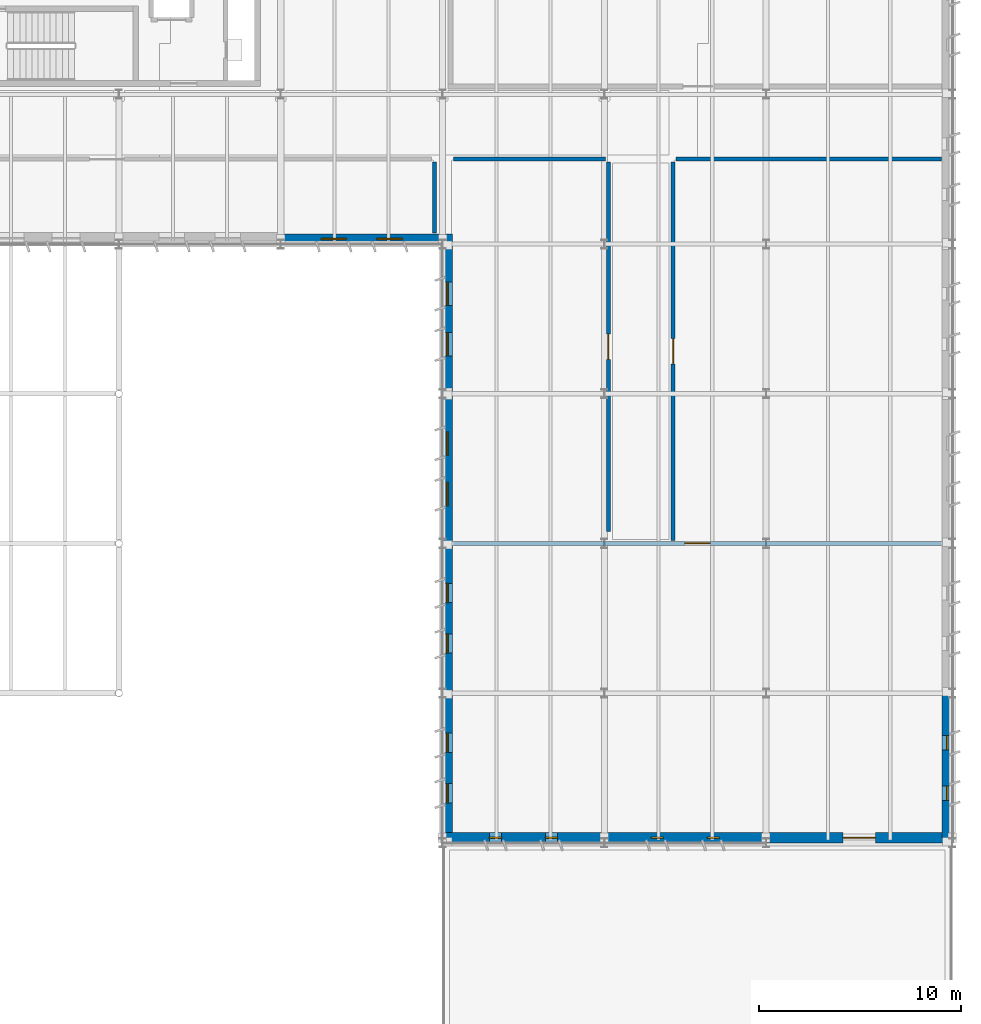
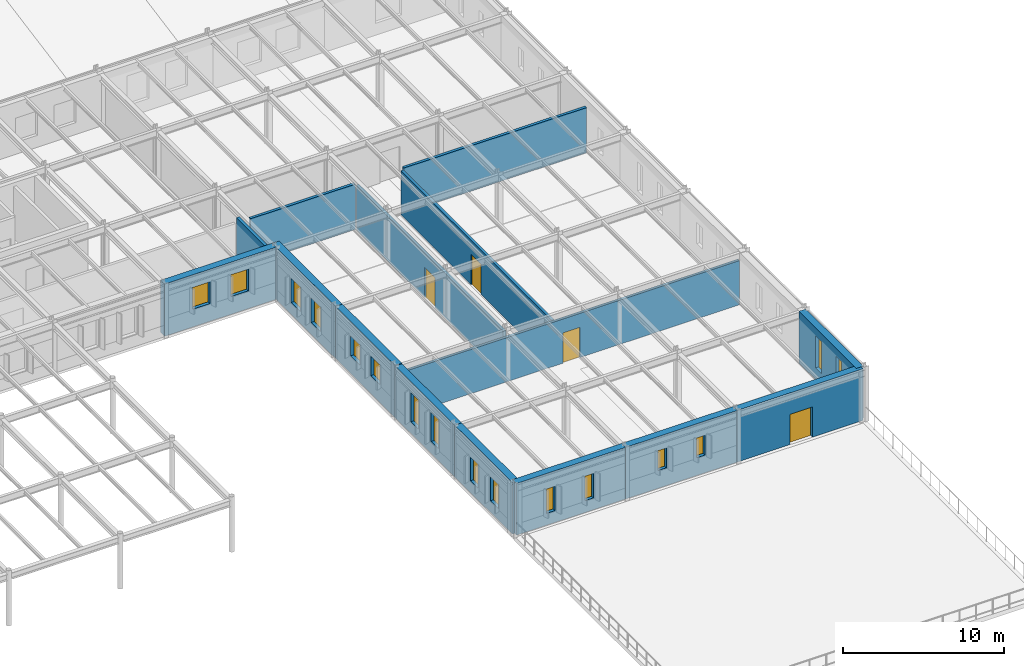
# One storey, part 46 of 63: 16 windows, 15 walls, 4 doors, 20 openings.
"""IFC4 building model written with IfcOpenShell, lengths in metres."""

from ifc_helpers import new_model, si_unit, direction, frame, frame_2d, origin, place, context, subcontext, project, spatial, rectangle, extrude, material, layer, layer_set, type_object, element, fill, save


model = new_model("IFC4")

# Units and contexts
model_context = context("Model", 3, precision=1e-05, world=origin(), true_north=direction((0.0, 1.0)))
body_context = subcontext(model_context, "Body", "Model", "MODEL_VIEW")
ifc_project = project(units=[si_unit("LENGTHUNIT", "METRE"), si_unit("AREAUNIT", "SQUARE_METRE"), si_unit("VOLUMEUNIT", "CUBIC_METRE"), si_unit("PLANEANGLEUNIT", "RADIAN"), si_unit("MASSUNIT", "GRAM", prefix="KILO")], contexts=[model_context])

# Site, building, storey
site_placement = place(None, origin())
site = spatial("IfcSite", under=ifc_project, at=site_placement, CompositionType="ELEMENT")
building_placement = place(site_placement, origin())
building = spatial("IfcBuilding", under=site, at=building_placement, Name="Valkorina Park Police Headquarters", CompositionType="ELEMENT")
storey_placement = place(building_placement, frame((0.0, 0.0, 9.89990234375)))
storey = spatial("IfcBuildingStorey", under=building, at=storey_placement, Name="L03", CompositionType="ELEMENT", Elevation=9.89990234375)

# Wall
ifc_material_1 = material(Name="Autoclaved aerated concrete masonry", Category="masonry")
ifc_layer_1 = layer(ifc_material_1, 0.199951171875)
ifc_layer_set_1 = layer_set([ifc_layer_1], Name="Autoclaved aerated concrete masonry")
wall_type_1 = type_object("IfcWallType", Name="WL-CORR-200-EI60", PredefinedType="STANDARD", material=ifc_layer_set_1)
wall_1_placement = place(storey_placement, frame((136.39990234375, 59.739990234375, 0.0), z_axis=(0.0, 0.0, 1.0), x_axis=(0.0, 1.0, 0.0)))
element("IfcWall", 1, at=wall_1_placement, inside=storey, type_object=wall_type_1, Name="L03 Interior Partition 0174 (L03-TEL-02)", PredefinedType="STANDARD", context=body_context, shape_type="SweptSolid", body=[
    extrude(rectangle(XDim=3.52001953125, YDim=0.199951171875, at=frame_2d((1.760009765625, 0.0))), origin(), (0.0, 0.0, 1.0), 3.920166015625),
])

# Wall, opening, door
wall_2_placement = place(storey_placement, frame((137.340087890625, 44.39990234375, 0.0), z_axis=(0.0, 0.0, 1.0), x_axis=(1.0, 0.0, 0.0)))
wall_2 = element("IfcWall", 2, at=wall_2_placement, inside=storey, type_object=wall_type_1, Name="L03 Interior Partition 0181 (L03-DNA-01)", PredefinedType="STANDARD", context=body_context, shape_type="SweptSolid", body=[
    extrude(rectangle(XDim=24.119873046875, YDim=0.199951171875, at=frame_2d((12.06005859375, 0.0))), origin(), (0.0, 0.0, 1.0), 3.35009765625),
])
opening_1_placement = place(wall_2_placement, frame((11.43505859375, 0.0, 0.0)))
opening_1 = element("IfcOpeningElement", 3, at=opening_1_placement, cuts=wall_2, Name="Opening FD-06", PredefinedType="OPENING", context=body_context, shape_type="SweptSolid", body=[
    extrude(rectangle(XDim=1.25, YDim=2.300048828125, at=frame_2d((0.625, 1.14990234375))), frame((0.0, 0.10986328125, 0.0), z_axis=(0.0, -1.0, 0.0), x_axis=(1.0, 0.0, 0.0)), (0.0, 0.0, 1.0), 0.219970703125),
])
ifc_material_2 = material(Name="Galvanized steel door leaf", Category="steel")
ifc_layer_2 = layer(ifc_material_2, 0.050048828125)
ifc_layer_set_2 = layer_set([ifc_layer_2], Name="Galvanized steel door leaf")
door_type_1 = type_object("IfcDoorType", Name="DR-FIRE-LAB-1250x2300", OperationType="NOTDEFINED", PredefinedType="DOOR", material=ifc_layer_set_2)
door_1_placement = place(opening_1_placement, origin())
door_1 = element("IfcDoor", 4, at=door_1_placement, inside=storey, type_object=door_type_1, Name="Door D-L03-I084 (L03-DNA-01)", OperationType="SINGLE_SWING_LEFT", OverallHeight=2.300048828125, OverallWidth=1.25, PredefinedType="DOOR", context=body_context, shape_type="SweptSolid", body=[
    extrude(rectangle(XDim=1.25, YDim=2.300048828125, at=frame_2d((0.625, 1.14990234375))), frame((0.0, 0.02490234375, 0.0), z_axis=(0.0, -1.0, 0.0), x_axis=(1.0, 0.0, 0.0)), (0.0, 0.0, 1.0), 0.050048828125),
])
fill(opening_1, door_1)

# Wall
wall_3_placement = place(storey_placement, frame((137.340087890625, 63.39990234375, 0.0), z_axis=(0.0, 0.0, 1.0), x_axis=(1.0, 0.0, 0.0)))
element("IfcWall", 5, at=wall_3_placement, inside=storey, type_object=wall_type_1, Name="L03 Interior Partition 0182 (L03-DNA-02)", PredefinedType="STANDARD", context=body_context, shape_type="SweptSolid", body=[
    extrude(rectangle(XDim=7.52001953125, YDim=0.199951171875, at=frame_2d((3.760009765625, 0.0))), origin(), (0.0, 0.0, 1.0), 3.445068359375),
])

# Wall, opening, door
wall_4_placement = place(storey_placement, frame((145.0, 44.989990234375, 0.0), z_axis=(0.0, 0.0, 1.0), x_axis=(0.0, 1.0, 0.0)))
wall_4 = element("IfcWall", 6, at=wall_4_placement, inside=storey, type_object=wall_type_1, Name="L03 Interior Partition 0183 (L03-DNA-02)", PredefinedType="STANDARD", context=body_context, shape_type="SweptSolid", body=[
    extrude(rectangle(XDim=18.27001953125, YDim=0.199951171875, at=frame_2d((9.135009765625, 0.0))), origin(), (0.0, 0.0, 1.0), 3.385009765625),
])
opening_2_placement = place(wall_4_placement, frame((8.510009765625, 0.0, 0.0)))
opening_2 = element("IfcOpeningElement", 7, at=opening_2_placement, cuts=wall_4, Name="Opening FD-06", PredefinedType="OPENING", context=body_context, shape_type="SweptSolid", body=[
    extrude(rectangle(XDim=1.25, YDim=2.300048828125, at=frame_2d((0.625, 1.14990234375))), frame((0.0, 0.10986328125, 0.0), z_axis=(0.0, -1.0, 0.0), x_axis=(1.0, 0.0, 0.0)), (0.0, 0.0, 1.0), 0.219970703125),
])
door_2_placement = place(opening_2_placement, origin())
door_2 = element("IfcDoor", 8, at=door_2_placement, inside=storey, type_object=door_type_1, Name="Door D-L03-I085 (L03-DNA-02)", OperationType="SINGLE_SWING_RIGHT", OverallHeight=2.300048828125, OverallWidth=1.25, PredefinedType="DOOR", context=body_context, shape_type="SweptSolid", body=[
    extrude(rectangle(XDim=1.25, YDim=2.300048828125, at=frame_2d((0.625, 1.14990234375))), frame((0.0, 0.02490234375, 0.0), z_axis=(0.0, -1.0, 0.0), x_axis=(1.0, 0.0, 0.0)), (0.0, 0.0, 1.0), 0.050048828125),
])
fill(opening_2, door_2)

# Wall
wall_5_placement = place(storey_placement, frame((148.340087890625, 63.39990234375, 0.0), z_axis=(0.0, 0.0, 1.0), x_axis=(1.0, 0.0, 0.0)))
element("IfcWall", 9, at=wall_5_placement, inside=storey, type_object=wall_type_1, Name="L03 Interior Partition 0184 (L03-DNA-03)", PredefinedType="STANDARD", context=body_context, shape_type="SweptSolid", body=[
    extrude(rectangle(XDim=13.119873046875, YDim=0.199951171875, at=frame_2d((6.56005859375, 0.0))), origin(), (0.0, 0.0, 1.0), 3.445068359375),
])

# Wall, opening, door
wall_6_placement = place(storey_placement, frame((148.199951171875, 44.5400390625, 0.0), z_axis=(0.0, 0.0, 1.0), x_axis=(0.0, 1.0, 0.0)))
wall_6 = element("IfcWall", 10, at=wall_6_placement, inside=storey, type_object=wall_type_1, Name="L03 Interior Partition 0185 (L03-DNA-03)", PredefinedType="STANDARD", context=body_context, shape_type="SweptSolid", body=[
    extrude(rectangle(XDim=18.719970703125, YDim=0.199951171875, at=frame_2d((9.35986328125, 0.0))), origin(), (0.0, 0.0, 1.0), 3.35009765625),
])
opening_3_placement = place(wall_6_placement, frame((8.735107421875, 0.0, 0.0)))
opening_3 = element("IfcOpeningElement", 11, at=opening_3_placement, cuts=wall_6, Name="Opening FD-06", PredefinedType="OPENING", context=body_context, shape_type="SweptSolid", body=[
    extrude(rectangle(XDim=1.25, YDim=2.300048828125, at=frame_2d((0.625, 1.14990234375))), frame((0.0, 0.10986328125, 0.0), z_axis=(0.0, -1.0, 0.0), x_axis=(1.0, 0.0, 0.0)), (0.0, 0.0, 1.0), 0.219970703125),
])
door_3_placement = place(opening_3_placement, origin())
door_3 = element("IfcDoor", 12, at=door_3_placement, inside=storey, type_object=door_type_1, Name="Door D-L03-I086 (L03-DNA-03)", OperationType="SINGLE_SWING_LEFT", OverallHeight=2.300048828125, OverallWidth=1.25, PredefinedType="DOOR", context=body_context, shape_type="SweptSolid", body=[
    extrude(rectangle(XDim=1.25, YDim=2.300048828125, at=frame_2d((0.625, 1.14990234375))), frame((0.0, 0.02490234375, 0.0), z_axis=(0.0, -1.0, 0.0), x_axis=(1.0, 0.0, 0.0)), (0.0, 0.0, 1.0), 0.050048828125),
])
fill(opening_3, door_3)

# Wall, openings, windows
ifc_material_3 = material(Name="Precast concrete C40/50", Category="concrete")
ifc_layer_3 = layer(ifc_material_3, 0.5)
ifc_layer_set_3 = layer_set([ifc_layer_3], Name="Precast concrete C40/50")
wall_type_2 = type_object("IfcWallType", Name="WL-EXT-SPANDREL-500", PredefinedType="STANDARD", material=ifc_layer_set_3)
wall_7_placement = place(storey_placement, frame((161.75, 37.0, 0.0), z_axis=(0.0, 0.0, 1.0), x_axis=(0.0, -1.0, 0.0)))
wall_7 = element("IfcWall", 13, at=wall_7_placement, inside=storey, type_object=wall_type_2, Name="L03 Architectural Concrete Exterior Wall 0210", PredefinedType="STANDARD", context=body_context, shape_type="SweptSolid", body=[
    extrude(rectangle(XDim=7.1650390625, YDim=0.5, at=frame_2d((3.58251953125, 0.0))), origin(), (0.0, 0.0, 1.0), 3.920166015625),
])
opening_4_placement = place(wall_7_placement, frame((2.1025390625, 0.0, 0.89990234375)))
opening_4 = element("IfcOpeningElement", 14, at=opening_4_placement, cuts=wall_7, Name="Opening WN-09", PredefinedType="OPENING", context=body_context, shape_type="SweptSolid", body=[
    extrude(rectangle(XDim=0.699951171875, YDim=2.39990234375, at=frame_2d((0.35009765625, 1.199951171875))), frame((0.0, 0.260009765625, 0.0), z_axis=(0.0, -1.0, 0.0), x_axis=(1.0, 0.0, 0.0)), (0.0, 0.0, 1.0), 0.52001953125),
])
opening_5_placement = place(wall_7_placement, frame((4.597412109375, 0.0, 0.89990234375)))
opening_5 = element("IfcOpeningElement", 15, at=opening_5_placement, cuts=wall_7, Name="Opening WN-09", PredefinedType="OPENING", context=body_context, shape_type="SweptSolid", body=[
    extrude(rectangle(XDim=0.699951171875, YDim=2.39990234375, at=frame_2d((0.35009765625, 1.199951171875))), frame((0.0, 0.260009765625, 0.0), z_axis=(0.0, -1.0, 0.0), x_axis=(1.0, 0.0, 0.0)), (0.0, 0.0, 1.0), 0.52001953125),
])
ifc_material_4 = material(Name="Triple low-E insulated glazing", Category="glass")
ifc_layer_4 = layer(ifc_material_4, 0.06005859375)
ifc_layer_set_4 = layer_set([ifc_layer_4], Name="Triple low-E insulated glazing")
window_type_1 = type_object("IfcWindowType", Name="WN-SLOT-700x2400", PartitioningType="SINGLE_PANEL", PredefinedType="WINDOW", material=ifc_layer_set_4)
window_1_placement = place(opening_4_placement, origin())
window_1 = element("IfcWindow", 16, at=window_1_placement, inside=storey, type_object=window_type_1, Name="Window L03-0354", OverallHeight=2.39990234375, OverallWidth=0.699951171875, PartitioningType="SINGLE_PANEL", PredefinedType="WINDOW", context=body_context, shape_type="SweptSolid", body=[
    extrude(rectangle(XDim=0.699951171875, YDim=2.39990234375, at=frame_2d((0.35009765625, 1.199951171875))), frame((0.0, 0.030029296875, 0.0), z_axis=(0.0, -1.0, 0.0), x_axis=(1.0, 0.0, 0.0)), (0.0, 0.0, 1.0), 0.06005859375),
])
fill(opening_4, window_1)
window_2_placement = place(opening_5_placement, origin())
window_2 = element("IfcWindow", 17, at=window_2_placement, inside=storey, type_object=window_type_1, Name="Window L03-0355", OverallHeight=2.39990234375, OverallWidth=0.699951171875, PartitioningType="SINGLE_PANEL", PredefinedType="WINDOW", context=body_context, shape_type="SweptSolid", body=[
    extrude(rectangle(XDim=0.699951171875, YDim=2.39990234375, at=frame_2d((0.35009765625, 1.199951171875))), frame((0.0, 0.030029296875, 0.0), z_axis=(0.0, -1.0, 0.0), x_axis=(1.0, 0.0, 0.0)), (0.0, 0.0, 1.0), 0.06005859375),
])
fill(opening_5, window_2)

# Wall, opening, door
wall_8_placement = place(storey_placement, frame((161.840087890625, 29.85009765625, 0.0), z_axis=(0.0, 0.0, 1.0), x_axis=(-1.0, 0.0, 0.0)))
wall_8 = element("IfcWall", 18, at=wall_8_placement, inside=storey, type_object=wall_type_2, Name="L03 Architectural Concrete Exterior Wall 0211", PredefinedType="STANDARD", context=body_context, shape_type="SweptSolid", body=[
    extrude(rectangle(XDim=9.0400390625, YDim=0.5, at=frame_2d((4.52001953125, 0.0))), origin(), (0.0, 0.0, 1.0), 3.920166015625),
])
opening_6_placement = place(wall_8_placement, frame((3.639892578125, 0.0, 0.0)))
opening_6 = element("IfcOpeningElement", 19, at=opening_6_placement, cuts=wall_8, Name="Opening ED-05", PredefinedType="OPENING", context=body_context, shape_type="SweptSolid", body=[
    extrude(rectangle(XDim=1.60009765625, YDim=2.300048828125, at=frame_2d((0.800048828125, 1.14990234375))), frame((0.0, 0.260009765625, 0.0), z_axis=(0.0, -1.0, 0.0), x_axis=(1.0, 0.0, 0.0)), (0.0, 0.0, 1.0), 0.52001953125),
])
ifc_material_5 = material(Name="Thermally broken aluminium AW-6060", Category="aluminium")
ifc_layer_5 = layer(ifc_material_5, 0.050048828125)
ifc_layer_set_5 = layer_set([ifc_layer_5], Name="Thermally broken aluminium AW-6060")
door_type_2 = type_object("IfcDoorType", Name="DR-EXT-TERR-1600x2300", OperationType="NOTDEFINED", PredefinedType="DOOR", material=ifc_layer_set_5)
door_4_placement = place(opening_6_placement, origin())
door_4 = element("IfcDoor", 20, at=door_4_placement, inside=storey, type_object=door_type_2, Name="Door D-L03-021 (TERR-L03-SE Terrace Door)", OperationType="DOUBLE_DOOR_SINGLE_SWING", OverallHeight=2.300048828125, OverallWidth=1.60009765625, PredefinedType="DOOR", context=body_context, shape_type="SweptSolid", body=[
    extrude(rectangle(XDim=1.60009765625, YDim=2.300048828125, at=frame_2d((0.800048828125, 1.14990234375))), frame((0.0, 0.02490234375, 0.0), z_axis=(0.0, -1.0, 0.0), x_axis=(1.0, 0.0, 0.0)), (0.0, 0.0, 1.0), 0.050048828125),
])
fill(opening_6, door_4)

# Wall, openings, windows
wall_9_placement = place(storey_placement, frame((152.800048828125, 29.85009765625, 0.0), z_axis=(0.0, 0.0, 1.0), x_axis=(-1.0, 0.0, 0.0)))
wall_9 = element("IfcWall", 21, at=wall_9_placement, inside=storey, type_object=wall_type_2, Name="L03 Architectural Concrete Exterior Wall 0212", PredefinedType="STANDARD", context=body_context, shape_type="SweptSolid", body=[
    extrude(rectangle(XDim=8.0, YDim=0.5, at=frame_2d((4.0, 0.0))), origin(), (0.0, 0.0, 1.0), 3.920166015625),
])
opening_7_placement = place(wall_9_placement, frame((2.317626953125, 0.0, 1.35009765625)))
opening_7 = element("IfcOpeningElement", 22, at=opening_7_placement, cuts=wall_9, Name="Opening WN-03", PredefinedType="OPENING", context=body_context, shape_type="SweptSolid", body=[
    extrude(rectangle(XDim=0.60009765625, YDim=1.5, at=frame_2d((0.300048828125, 0.75))), frame((0.0, 0.260009765625, 0.0), z_axis=(0.0, -1.0, 0.0), x_axis=(1.0, 0.0, 0.0)), (0.0, 0.0, 1.0), 0.52001953125),
])
opening_8_placement = place(wall_9_placement, frame((5.08251953125, 0.0, 1.35009765625)))
opening_8 = element("IfcOpeningElement", 23, at=opening_8_placement, cuts=wall_9, Name="Opening WN-03", PredefinedType="OPENING", context=body_context, shape_type="SweptSolid", body=[
    extrude(rectangle(XDim=0.60009765625, YDim=1.5, at=frame_2d((0.300048828125, 0.75))), frame((0.0, 0.260009765625, 0.0), z_axis=(0.0, -1.0, 0.0), x_axis=(1.0, 0.0, 0.0)), (0.0, 0.0, 1.0), 0.52001953125),
])
ifc_layer_6 = layer(ifc_material_4, 0.06005859375)
ifc_layer_set_6 = layer_set([ifc_layer_6], Name="Triple low-E insulated glazing")
window_type_2 = type_object("IfcWindowType", Name="WN-SLOT-600x1500", PartitioningType="SINGLE_PANEL", PredefinedType="WINDOW", material=ifc_layer_set_6)
window_3_placement = place(opening_7_placement, origin())
window_3 = element("IfcWindow", 24, at=window_3_placement, inside=storey, type_object=window_type_2, Name="Window L03-0356", OverallHeight=1.5, OverallWidth=0.60009765625, PartitioningType="SINGLE_PANEL", PredefinedType="WINDOW", context=body_context, shape_type="SweptSolid", body=[
    extrude(rectangle(XDim=0.60009765625, YDim=1.5, at=frame_2d((0.300048828125, 0.75))), frame((0.0, 0.030029296875, 0.0), z_axis=(0.0, -1.0, 0.0), x_axis=(1.0, 0.0, 0.0)), (0.0, 0.0, 1.0), 0.06005859375),
])
fill(opening_7, window_3)
window_4_placement = place(opening_8_placement, origin())
window_4 = element("IfcWindow", 25, at=window_4_placement, inside=storey, type_object=window_type_2, Name="Window L03-0357", OverallHeight=1.5, OverallWidth=0.60009765625, PartitioningType="SINGLE_PANEL", PredefinedType="WINDOW", context=body_context, shape_type="SweptSolid", body=[
    extrude(rectangle(XDim=0.60009765625, YDim=1.5, at=frame_2d((0.300048828125, 0.75))), frame((0.0, 0.030029296875, 0.0), z_axis=(0.0, -1.0, 0.0), x_axis=(1.0, 0.0, 0.0)), (0.0, 0.0, 1.0), 0.06005859375),
])
fill(opening_8, window_4)

wall_10_placement = place(storey_placement, frame((144.800048828125, 29.85009765625, 0.0), z_axis=(0.0, 0.0, 1.0), x_axis=(-1.0, 0.0, 0.0)))
wall_10 = element("IfcWall", 26, at=wall_10_placement, inside=storey, type_object=wall_type_2, Name="L03 Architectural Concrete Exterior Wall 0213", PredefinedType="STANDARD", context=body_context, shape_type="SweptSolid", body=[
    extrude(rectangle(XDim=7.840087890625, YDim=0.5, at=frame_2d((3.919921875, 0.0))), origin(), (0.0, 0.0, 1.0), 3.920166015625),
])
opening_9_placement = place(wall_10_placement, frame((2.317626953125, 0.0, 0.89990234375)))
opening_9 = element("IfcOpeningElement", 27, at=opening_9_placement, cuts=wall_10, Name="Opening WN-04", PredefinedType="OPENING", context=body_context, shape_type="SweptSolid", body=[
    extrude(rectangle(XDim=0.60009765625, YDim=1.85009765625, at=frame_2d((0.300048828125, 0.925048828125))), frame((0.0, 0.260009765625, 0.0), z_axis=(0.0, -1.0, 0.0), x_axis=(1.0, 0.0, 0.0)), (0.0, 0.0, 1.0), 0.52001953125),
])
opening_10_placement = place(wall_10_placement, frame((5.08251953125, 0.0, 0.89990234375)))
opening_10 = element("IfcOpeningElement", 28, at=opening_10_placement, cuts=wall_10, Name="Opening WN-04", PredefinedType="OPENING", context=body_context, shape_type="SweptSolid", body=[
    extrude(rectangle(XDim=0.60009765625, YDim=1.85009765625, at=frame_2d((0.300048828125, 0.925048828125))), frame((0.0, 0.260009765625, 0.0), z_axis=(0.0, -1.0, 0.0), x_axis=(1.0, 0.0, 0.0)), (0.0, 0.0, 1.0), 0.52001953125),
])
ifc_layer_7 = layer(ifc_material_4, 0.06005859375)
ifc_layer_set_7 = layer_set([ifc_layer_7], Name="Triple low-E insulated glazing")
window_type_3 = type_object("IfcWindowType", Name="WN-SLOT-600x1850", PartitioningType="SINGLE_PANEL", PredefinedType="WINDOW", material=ifc_layer_set_7)
window_5_placement = place(opening_9_placement, origin())
window_5 = element("IfcWindow", 29, at=window_5_placement, inside=storey, type_object=window_type_3, Name="Window L03-0358", OverallHeight=1.85009765625, OverallWidth=0.60009765625, PartitioningType="SINGLE_PANEL", PredefinedType="WINDOW", context=body_context, shape_type="SweptSolid", body=[
    extrude(rectangle(XDim=0.60009765625, YDim=1.85009765625, at=frame_2d((0.300048828125, 0.925048828125))), frame((0.0, 0.030029296875, 0.0), z_axis=(0.0, -1.0, 0.0), x_axis=(1.0, 0.0, 0.0)), (0.0, 0.0, 1.0), 0.06005859375),
])
fill(opening_9, window_5)
window_6_placement = place(opening_10_placement, origin())
window_6 = element("IfcWindow", 30, at=window_6_placement, inside=storey, type_object=window_type_3, Name="Window L03-0359", OverallHeight=1.85009765625, OverallWidth=0.60009765625, PartitioningType="SINGLE_PANEL", PredefinedType="WINDOW", context=body_context, shape_type="SweptSolid", body=[
    extrude(rectangle(XDim=0.60009765625, YDim=1.85009765625, at=frame_2d((0.300048828125, 0.925048828125))), frame((0.0, 0.030029296875, 0.0), z_axis=(0.0, -1.0, 0.0), x_axis=(1.0, 0.0, 0.0)), (0.0, 0.0, 1.0), 0.06005859375),
])
fill(opening_10, window_6)

wall_11_placement = place(storey_placement, frame((137.050048828125, 29.8349609375, 0.0), z_axis=(0.0, 0.0, 1.0), x_axis=(0.0, 1.0, 0.0)))
wall_11 = element("IfcWall", 31, at=wall_11_placement, inside=storey, type_object=wall_type_2, Name="L03 Architectural Concrete Exterior Wall 0214", PredefinedType="STANDARD", context=body_context, shape_type="SweptSolid", body=[
    extrude(rectangle(XDim=7.1650390625, YDim=0.5, at=frame_2d((3.58251953125, 0.0))), origin(), (0.0, 0.0, 1.0), 3.920166015625),
])
opening_11_placement = place(wall_11_placement, frame((1.74267578125, 0.0, 0.89990234375)))
opening_11 = element("IfcOpeningElement", 32, at=opening_11_placement, cuts=wall_11, Name="Opening WN-17", PredefinedType="OPENING", context=body_context, shape_type="SweptSolid", body=[
    extrude(rectangle(XDim=0.949951171875, YDim=1.800048828125, at=frame_2d((0.47509765625, 0.89990234375))), frame((0.0, 0.260009765625, 0.0), z_axis=(0.0, -1.0, 0.0), x_axis=(1.0, 0.0, 0.0)), (0.0, 0.0, 1.0), 0.52001953125),
])
opening_12_placement = place(wall_11_placement, frame((4.2373046875, 0.0, 0.89990234375)))
opening_12 = element("IfcOpeningElement", 33, at=opening_12_placement, cuts=wall_11, Name="Opening WN-17", PredefinedType="OPENING", context=body_context, shape_type="SweptSolid", body=[
    extrude(rectangle(XDim=0.949951171875, YDim=1.800048828125, at=frame_2d((0.47509765625, 0.89990234375))), frame((0.0, 0.260009765625, 0.0), z_axis=(0.0, -1.0, 0.0), x_axis=(1.0, 0.0, 0.0)), (0.0, 0.0, 1.0), 0.52001953125),
])
ifc_layer_8 = layer(ifc_material_4, 0.06005859375)
ifc_layer_set_8 = layer_set([ifc_layer_8], Name="Triple low-E insulated glazing")
window_type_4 = type_object("IfcWindowType", Name="WN-SLOT-950x1800", PartitioningType="SINGLE_PANEL", PredefinedType="WINDOW", material=ifc_layer_set_8)
window_7_placement = place(opening_11_placement, origin())
window_7 = element("IfcWindow", 34, at=window_7_placement, inside=storey, type_object=window_type_4, Name="Window L03-0360", OverallHeight=1.800048828125, OverallWidth=0.949951171875, PartitioningType="SINGLE_PANEL", PredefinedType="WINDOW", context=body_context, shape_type="SweptSolid", body=[
    extrude(rectangle(XDim=0.949951171875, YDim=1.800048828125, at=frame_2d((0.47509765625, 0.89990234375))), frame((0.0, 0.030029296875, 0.0), z_axis=(0.0, -1.0, 0.0), x_axis=(1.0, 0.0, 0.0)), (0.0, 0.0, 1.0), 0.06005859375),
])
fill(opening_11, window_7)
window_8_placement = place(opening_12_placement, origin())
window_8 = element("IfcWindow", 35, at=window_8_placement, inside=storey, type_object=window_type_4, Name="Window L03-0361", OverallHeight=1.800048828125, OverallWidth=0.949951171875, PartitioningType="SINGLE_PANEL", PredefinedType="WINDOW", context=body_context, shape_type="SweptSolid", body=[
    extrude(rectangle(XDim=0.949951171875, YDim=1.800048828125, at=frame_2d((0.47509765625, 0.89990234375))), frame((0.0, 0.030029296875, 0.0), z_axis=(0.0, -1.0, 0.0), x_axis=(1.0, 0.0, 0.0)), (0.0, 0.0, 1.0), 0.06005859375),
])
fill(opening_12, window_8)

wall_12_placement = place(storey_placement, frame((137.050048828125, 37.0, 0.0), z_axis=(0.0, 0.0, 1.0), x_axis=(0.0, 1.0, 0.0)))
wall_12 = element("IfcWall", 36, at=wall_12_placement, inside=storey, type_object=wall_type_2, Name="L03 Architectural Concrete Exterior Wall 0215", PredefinedType="STANDARD", context=body_context, shape_type="SweptSolid", body=[
    extrude(rectangle(XDim=7.39990234375, YDim=0.5, at=frame_2d((3.699951171875, 0.0))), origin(), (0.0, 0.0, 1.0), 3.920166015625),
])
opening_13_placement = place(wall_12_placement, frame((1.9775390625, 0.0, 0.89990234375)))
opening_13 = element("IfcOpeningElement", 37, at=opening_13_placement, cuts=wall_12, Name="Opening WN-18", PredefinedType="OPENING", context=body_context, shape_type="SweptSolid", body=[
    extrude(rectangle(XDim=0.949951171875, YDim=2.199951171875, at=frame_2d((0.47509765625, 1.10009765625))), frame((0.0, 0.260009765625, 0.0), z_axis=(0.0, -1.0, 0.0), x_axis=(1.0, 0.0, 0.0)), (0.0, 0.0, 1.0), 0.52001953125),
])
opening_14_placement = place(wall_12_placement, frame((4.472412109375, 0.0, 0.89990234375)))
opening_14 = element("IfcOpeningElement", 38, at=opening_14_placement, cuts=wall_12, Name="Opening WN-18", PredefinedType="OPENING", context=body_context, shape_type="SweptSolid", body=[
    extrude(rectangle(XDim=0.949951171875, YDim=2.199951171875, at=frame_2d((0.47509765625, 1.10009765625))), frame((0.0, 0.260009765625, 0.0), z_axis=(0.0, -1.0, 0.0), x_axis=(1.0, 0.0, 0.0)), (0.0, 0.0, 1.0), 0.52001953125),
])
ifc_layer_9 = layer(ifc_material_4, 0.06005859375)
ifc_layer_set_9 = layer_set([ifc_layer_9], Name="Triple low-E insulated glazing")
window_type_5 = type_object("IfcWindowType", Name="WN-SLOT-950x2200", PartitioningType="SINGLE_PANEL", PredefinedType="WINDOW", material=ifc_layer_set_9)
window_9_placement = place(opening_13_placement, origin())
window_9 = element("IfcWindow", 39, at=window_9_placement, inside=storey, type_object=window_type_5, Name="Window L03-0362", OverallHeight=2.199951171875, OverallWidth=0.949951171875, PartitioningType="SINGLE_PANEL", PredefinedType="WINDOW", context=body_context, shape_type="SweptSolid", body=[
    extrude(rectangle(XDim=0.949951171875, YDim=2.199951171875, at=frame_2d((0.47509765625, 1.10009765625))), frame((0.0, 0.030029296875, 0.0), z_axis=(0.0, -1.0, 0.0), x_axis=(1.0, 0.0, 0.0)), (0.0, 0.0, 1.0), 0.06005859375),
])
fill(opening_13, window_9)
window_10_placement = place(opening_14_placement, origin())
window_10 = element("IfcWindow", 40, at=window_10_placement, inside=storey, type_object=window_type_5, Name="Window L03-0363", OverallHeight=2.199951171875, OverallWidth=0.949951171875, PartitioningType="SINGLE_PANEL", PredefinedType="WINDOW", context=body_context, shape_type="SweptSolid", body=[
    extrude(rectangle(XDim=0.949951171875, YDim=2.199951171875, at=frame_2d((0.47509765625, 1.10009765625))), frame((0.0, 0.030029296875, 0.0), z_axis=(0.0, -1.0, 0.0), x_axis=(1.0, 0.0, 0.0)), (0.0, 0.0, 1.0), 0.06005859375),
])
fill(opening_14, window_10)

wall_13_placement = place(storey_placement, frame((137.050048828125, 44.39990234375, 0.0), z_axis=(0.0, 0.0, 1.0), x_axis=(0.0, 1.0, 0.0)))
wall_13 = element("IfcWall", 41, at=wall_13_placement, inside=storey, type_object=wall_type_2, Name="L03 Architectural Concrete Exterior Wall 0216", PredefinedType="STANDARD", context=body_context, shape_type="SweptSolid", body=[
    extrude(rectangle(XDim=7.400146484375, YDim=0.5, at=frame_2d((3.7001953125, 0.0))), origin(), (0.0, 0.0, 1.0), 3.955078125),
])
opening_15_placement = place(wall_13_placement, frame((1.877685546875, 0.0, 1.35009765625)))
opening_15 = element("IfcOpeningElement", 42, at=opening_15_placement, cuts=wall_13, Name="Opening WN-19", PredefinedType="OPENING", context=body_context, shape_type="SweptSolid", body=[
    extrude(rectangle(XDim=1.14990234375, YDim=1.5, at=frame_2d((0.574951171875, 0.75))), frame((0.0, 0.260009765625, 0.0), z_axis=(0.0, -1.0, 0.0), x_axis=(1.0, 0.0, 0.0)), (0.0, 0.0, 1.0), 0.52001953125),
])
opening_16_placement = place(wall_13_placement, frame((4.372314453125, 0.0, 1.35009765625)))
opening_16 = element("IfcOpeningElement", 43, at=opening_16_placement, cuts=wall_13, Name="Opening WN-19", PredefinedType="OPENING", context=body_context, shape_type="SweptSolid", body=[
    extrude(rectangle(XDim=1.14990234375, YDim=1.5, at=frame_2d((0.574951171875, 0.75))), frame((0.0, 0.260009765625, 0.0), z_axis=(0.0, -1.0, 0.0), x_axis=(1.0, 0.0, 0.0)), (0.0, 0.0, 1.0), 0.52001953125),
])
ifc_layer_10 = layer(ifc_material_4, 0.06005859375)
ifc_layer_set_10 = layer_set([ifc_layer_10], Name="Triple low-E insulated glazing")
window_type_6 = type_object("IfcWindowType", Name="WN-LAB-1150x1500", PartitioningType="SINGLE_PANEL", PredefinedType="WINDOW", material=ifc_layer_set_10)
window_11_placement = place(opening_15_placement, origin())
window_11 = element("IfcWindow", 44, at=window_11_placement, inside=storey, type_object=window_type_6, Name="Window L03-0364", OverallHeight=1.5, OverallWidth=1.14990234375, PartitioningType="SINGLE_PANEL", PredefinedType="WINDOW", context=body_context, shape_type="SweptSolid", body=[
    extrude(rectangle(XDim=1.14990234375, YDim=1.5, at=frame_2d((0.574951171875, 0.75))), frame((0.0, 0.030029296875, 0.0), z_axis=(0.0, -1.0, 0.0), x_axis=(1.0, 0.0, 0.0)), (0.0, 0.0, 1.0), 0.06005859375),
])
fill(opening_15, window_11)
window_12_placement = place(opening_16_placement, origin())
window_12 = element("IfcWindow", 45, at=window_12_placement, inside=storey, type_object=window_type_6, Name="Window L03-0365", OverallHeight=1.5, OverallWidth=1.14990234375, PartitioningType="SINGLE_PANEL", PredefinedType="WINDOW", context=body_context, shape_type="SweptSolid", body=[
    extrude(rectangle(XDim=1.14990234375, YDim=1.5, at=frame_2d((0.574951171875, 0.75))), frame((0.0, 0.030029296875, 0.0), z_axis=(0.0, -1.0, 0.0), x_axis=(1.0, 0.0, 0.0)), (0.0, 0.0, 1.0), 0.06005859375),
])
fill(opening_16, window_12)

wall_14_placement = place(storey_placement, frame((137.050048828125, 51.800048828125, 0.0), z_axis=(0.0, 0.0, 1.0), x_axis=(0.0, 1.0, 0.0)))
wall_14 = element("IfcWall", 46, at=wall_14_placement, inside=storey, type_object=wall_type_2, Name="L03 Architectural Concrete Exterior Wall 0217", PredefinedType="STANDARD", context=body_context, shape_type="SweptSolid", body=[
    extrude(rectangle(XDim=7.89990234375, YDim=0.5, at=frame_2d((3.949951171875, 0.0))), origin(), (0.0, 0.0, 1.0), 3.955078125),
])
opening_17_placement = place(wall_14_placement, frame((1.877685546875, 0.0, 0.89990234375)))
opening_17 = element("IfcOpeningElement", 47, at=opening_17_placement, cuts=wall_14, Name="Opening WN-20", PredefinedType="OPENING", context=body_context, shape_type="SweptSolid", body=[
    extrude(rectangle(XDim=1.14990234375, YDim=1.85009765625, at=frame_2d((0.574951171875, 0.925048828125))), frame((0.0, 0.260009765625, 0.0), z_axis=(0.0, -1.0, 0.0), x_axis=(1.0, 0.0, 0.0)), (0.0, 0.0, 1.0), 0.52001953125),
])
opening_18_placement = place(wall_14_placement, frame((4.372314453125, 0.0, 0.89990234375)))
opening_18 = element("IfcOpeningElement", 48, at=opening_18_placement, cuts=wall_14, Name="Opening WN-20", PredefinedType="OPENING", context=body_context, shape_type="SweptSolid", body=[
    extrude(rectangle(XDim=1.14990234375, YDim=1.85009765625, at=frame_2d((0.574951171875, 0.925048828125))), frame((0.0, 0.260009765625, 0.0), z_axis=(0.0, -1.0, 0.0), x_axis=(1.0, 0.0, 0.0)), (0.0, 0.0, 1.0), 0.52001953125),
])
ifc_layer_11 = layer(ifc_material_4, 0.06005859375)
ifc_layer_set_11 = layer_set([ifc_layer_11], Name="Triple low-E insulated glazing")
window_type_7 = type_object("IfcWindowType", Name="WN-LAB-1150x1850", PartitioningType="SINGLE_PANEL", PredefinedType="WINDOW", material=ifc_layer_set_11)
window_13_placement = place(opening_17_placement, origin())
window_13 = element("IfcWindow", 49, at=window_13_placement, inside=storey, type_object=window_type_7, Name="Window L03-0366", OverallHeight=1.85009765625, OverallWidth=1.14990234375, PartitioningType="SINGLE_PANEL", PredefinedType="WINDOW", context=body_context, shape_type="SweptSolid", body=[
    extrude(rectangle(XDim=1.14990234375, YDim=1.85009765625, at=frame_2d((0.574951171875, 0.925048828125))), frame((0.0, 0.030029296875, 0.0), z_axis=(0.0, -1.0, 0.0), x_axis=(1.0, 0.0, 0.0)), (0.0, 0.0, 1.0), 0.06005859375),
])
fill(opening_17, window_13)
window_14_placement = place(opening_18_placement, origin())
window_14 = element("IfcWindow", 50, at=window_14_placement, inside=storey, type_object=window_type_7, Name="Window L03-0367", OverallHeight=1.85009765625, OverallWidth=1.14990234375, PartitioningType="SINGLE_PANEL", PredefinedType="WINDOW", context=body_context, shape_type="SweptSolid", body=[
    extrude(rectangle(XDim=1.14990234375, YDim=1.85009765625, at=frame_2d((0.574951171875, 0.925048828125))), frame((0.0, 0.030029296875, 0.0), z_axis=(0.0, -1.0, 0.0), x_axis=(1.0, 0.0, 0.0)), (0.0, 0.0, 1.0), 0.06005859375),
])
fill(opening_18, window_14)

wall_15_placement = place(storey_placement, frame((136.800048828125, 59.449951171875, 0.0), z_axis=(0.0, 0.0, 1.0), x_axis=(-1.0, 0.0, 0.0)))
wall_15 = element("IfcWall", 51, at=wall_15_placement, inside=storey, type_object=wall_type_2, Name="L03 Architectural Concrete Exterior Wall 0218", PredefinedType="STANDARD", context=body_context, shape_type="SweptSolid", body=[
    extrude(rectangle(XDim=8.0, YDim=0.5, at=frame_2d((4.0, 0.0))), origin(), (0.0, 0.0, 1.0), 3.955078125),
])
opening_19_placement = place(wall_15_placement, frame((1.99267578125, 0.0, 1.35009765625)))
opening_19 = element("IfcOpeningElement", 52, at=opening_19_placement, cuts=wall_15, Name="Opening WN-21", PredefinedType="OPENING", context=body_context, shape_type="SweptSolid", body=[
    extrude(rectangle(XDim=1.25, YDim=1.64990234375, at=frame_2d((0.625, 0.824951171875))), frame((0.0, 0.260009765625, 0.0), z_axis=(0.0, -1.0, 0.0), x_axis=(1.0, 0.0, 0.0)), (0.0, 0.0, 1.0), 0.52001953125),
])
opening_20_placement = place(wall_15_placement, frame((4.75732421875, 0.0, 1.35009765625)))
opening_20 = element("IfcOpeningElement", 53, at=opening_20_placement, cuts=wall_15, Name="Opening WN-21", PredefinedType="OPENING", context=body_context, shape_type="SweptSolid", body=[
    extrude(rectangle(XDim=1.25, YDim=1.64990234375, at=frame_2d((0.625, 0.824951171875))), frame((0.0, 0.260009765625, 0.0), z_axis=(0.0, -1.0, 0.0), x_axis=(1.0, 0.0, 0.0)), (0.0, 0.0, 1.0), 0.52001953125),
])
ifc_layer_12 = layer(ifc_material_4, 0.06005859375)
ifc_layer_set_12 = layer_set([ifc_layer_12], Name="Triple low-E insulated glazing")
window_type_8 = type_object("IfcWindowType", Name="WN-LAB-1250x1650", PartitioningType="SINGLE_PANEL", PredefinedType="WINDOW", material=ifc_layer_set_12)
window_15_placement = place(opening_19_placement, origin())
window_15 = element("IfcWindow", 54, at=window_15_placement, inside=storey, type_object=window_type_8, Name="Window L03-0368", OverallHeight=1.64990234375, OverallWidth=1.25, PartitioningType="SINGLE_PANEL", PredefinedType="WINDOW", context=body_context, shape_type="SweptSolid", body=[
    extrude(rectangle(XDim=1.25, YDim=1.64990234375, at=frame_2d((0.625, 0.824951171875))), frame((0.0, 0.030029296875, 0.0), z_axis=(0.0, -1.0, 0.0), x_axis=(1.0, 0.0, 0.0)), (0.0, 0.0, 1.0), 0.06005859375),
])
fill(opening_19, window_15)
window_16_placement = place(opening_20_placement, origin())
window_16 = element("IfcWindow", 55, at=window_16_placement, inside=storey, type_object=window_type_8, Name="Window L03-0369", OverallHeight=1.64990234375, OverallWidth=1.25, PartitioningType="SINGLE_PANEL", PredefinedType="WINDOW", context=body_context, shape_type="SweptSolid", body=[
    extrude(rectangle(XDim=1.25, YDim=1.64990234375, at=frame_2d((0.625, 0.824951171875))), frame((0.0, 0.030029296875, 0.0), z_axis=(0.0, -1.0, 0.0), x_axis=(1.0, 0.0, 0.0)), (0.0, 0.0, 1.0), 0.06005859375),
])
fill(opening_20, window_16)

save(model, "model.ifc")
